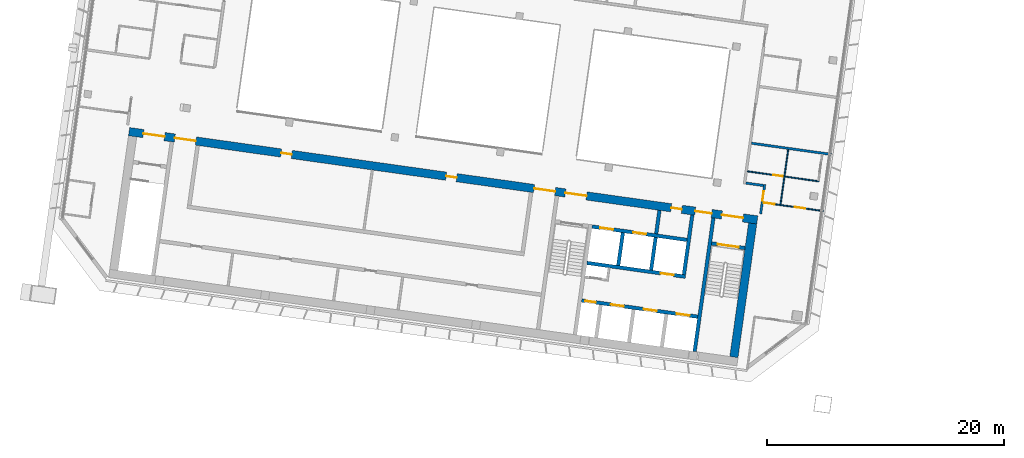
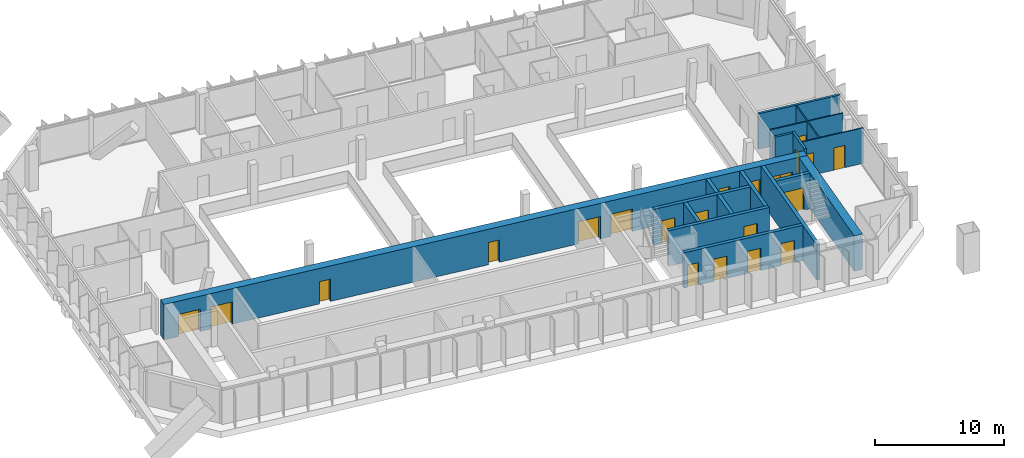
# One storey, part 18 of 32: 21 doors, 17 walls, 21 openings.
"""IFC4 building model written with IfcOpenShell, lengths in metres."""

from ifc_helpers import new_model, si_unit, direction, frame, frame_2d, origin, place, context, subcontext, project, spatial, rectangle, extrude, material, layer, layer_set, type_object, element, fill, save


model = new_model("IFC4")

# Units and contexts
model_context = context("Model", 3, precision=1e-05, world=origin(), true_north=direction((0.0, 1.0)))
body_context = subcontext(model_context, "Body", "Model", "MODEL_VIEW")
ifc_project = project(units=[si_unit("LENGTHUNIT", "METRE"), si_unit("AREAUNIT", "SQUARE_METRE"), si_unit("VOLUMEUNIT", "CUBIC_METRE"), si_unit("PLANEANGLEUNIT", "RADIAN"), si_unit("MASSUNIT", "GRAM", prefix="KILO")], contexts=[model_context])

# Site, building, storey
site_placement = place(None, origin())
site = spatial("IfcSite", under=ifc_project, at=site_placement, CompositionType="ELEMENT")
building_placement = place(site_placement, origin())
building = spatial("IfcBuilding", under=site, at=building_placement, Name="Mirante Cascada Hotel Towers", CompositionType="ELEMENT")
storey_placement = place(building_placement, frame((0.0, 0.0, 176.4)))
storey = spatial("IfcBuildingStorey", under=building, at=storey_placement, Name="L41", CompositionType="ELEMENT", Elevation=176.4)

# Walls
ifc_material_1 = material(Name="Fire-rated plasterboard on metal studs")
ifc_layer_1 = layer(ifc_material_1, 0.2)
ifc_layer_set_1 = layer_set([ifc_layer_1], Name="Compartment wall 200 EI 120")
wall_type_1 = type_object("IfcWallType", Name="Compartment wall 200 EI 120", PredefinedType="PARTITIONING", material=ifc_layer_set_1)
wall_1_placement = place(storey_placement, frame((-35.0284, -4.7267, 0.0), z_axis=(0.0, 0.0, 1.0), x_axis=(-0.9902735, 0.1391343, 0.0)))
element("IfcWall", 1, at=wall_1_placement, inside=storey, type_object=wall_type_1, Name="Wall 1-L41-06", PredefinedType="PARTITIONING", context=body_context, shape_type="SweptSolid", body=[
    extrude(rectangle(XDim=1.5, YDim=0.2, at=frame_2d((0.75, 0.0))), origin(), (0.0, 0.0, 1.0), 3.35),
])
wall_2_placement = place(storey_placement, frame((-29.2967, -2.0988, 0.0), z_axis=(0.0, 0.0, 1.0), x_axis=(-0.9902679, 0.1391741, 0.0)))
element("IfcWall", 2, at=wall_2_placement, inside=storey, type_object=wall_type_1, Name="Wall 1-L41-08", PredefinedType="PARTITIONING", context=body_context, shape_type="SweptSolid", body=[
    extrude(rectangle(XDim=6.8102, YDim=0.2, at=frame_2d((3.4051, 0.0))), origin(), (0.0, 0.0, 1.0), 3.35),
])

# Wall, opening, door
wall_3_placement = place(storey_placement, frame((-34.9155, -4.6416, 0.0), z_axis=(0.0, 0.0, 1.0), x_axis=(-0.1391586, -0.9902701, 0.0)))
wall_3 = element("IfcWall", 3, at=wall_3_placement, inside=storey, type_object=wall_type_1, Name="Wall 1-L41-33", PredefinedType="PARTITIONING", context=body_context, shape_type="SweptSolid", body=[
    extrude(rectangle(XDim=2.5, YDim=0.2, at=frame_2d((1.25, 0.0))), origin(), (0.0, 0.0, 1.0), 3.35),
])
opening_1_placement = place(wall_3_placement, frame((0.5833, 0.0, 0.0)))
opening_1 = element("IfcOpeningElement", 4, at=opening_1_placement, cuts=wall_3, Name="Opening D1-L41-25", PredefinedType="OPENING", context=body_context, shape_type="SweptSolid", body=[
    extrude(rectangle(XDim=0.8, YDim=2.1, at=frame_2d((0.4, 1.05))), frame((0.0, 0.1, 0.0), z_axis=(0.0, -1.0, 0.0), x_axis=(1.0, 0.0, 0.0)), (0.0, 0.0, 1.0), 0.2),
])
ifc_material_2 = material(Name="Fire-rated timber door leaf", Category="wood")
door_type_1 = type_object("IfcDoorType", Name="Bathroom door DG4 800x2100 EI 60", OperationType="SINGLE_SWING_LEFT", PredefinedType="DOOR", material=ifc_material_2)
door_1_placement = place(opening_1_placement, frame((0.8, 0.0, 0.0), z_axis=(0.0, 0.0, 1.0), x_axis=(-1.0, 0.0, 0.0)))
door_1 = element("IfcDoor", 5, at=door_1_placement, inside=storey, type_object=door_type_1, Name="Door D1-L41-25", OperationType="SINGLE_SWING_RIGHT", OverallHeight=2.1, OverallWidth=0.8, PredefinedType="DOOR", context=body_context, shape_type="SweptSolid", body=[
    extrude(rectangle(XDim=0.8, YDim=2.1, at=frame_2d((0.4, 1.05))), frame((0.0, 0.025, 0.0), z_axis=(0.0, -1.0, 0.0), x_axis=(1.0, 0.0, 0.0)), (0.0, 0.0, 1.0), 0.05),
])
fill(opening_1, door_1)

# Wall
ifc_material_3 = material(Name="Masonry block", Category="masonry")
ifc_layer_2 = layer(ifc_material_3, 0.3)
ifc_layer_set_2 = layer_set([ifc_layer_2], Name="Core wall 300 block EI 120")
wall_type_2 = type_object("IfcWallType", Name="Core wall 300 block EI 120", PredefinedType="PARTITIONING", material=ifc_layer_set_2)
wall_4_placement = place(storey_placement, frame((-44.0843, -8.8061, 0.0), z_axis=(0.0, 0.0, 1.0), x_axis=(0.1391951, 0.990265, 0.0)))
element("IfcWall", 6, at=wall_4_placement, inside=storey, type_object=wall_type_2, Name="Core wall partition T1 L41 1", PredefinedType="PARTITIONING", context=body_context, shape_type="SweptSolid", body=[
    extrude(rectangle(XDim=2.0001, YDim=0.3, at=frame_2d((1.0001, 0.0))), origin(), (0.0, 0.0, 1.0), 3.35),
])

# Wall, openings, doors
ifc_material_4 = material(Name="Plasterboard on metal studs")
ifc_layer_3 = layer(ifc_material_4, 0.1)
ifc_layer_set_3 = layer_set([ifc_layer_3], Name="Partition 100")
wall_type_3 = type_object("IfcWallType", Name="Partition 100", PredefinedType="PARTITIONING", material=ifc_layer_set_3)
wall_5_placement = place(storey_placement, frame((-29.9694, -6.8851, 0.0), z_axis=(0.0, 0.0, 1.0), x_axis=(-0.9902679, 0.1391745, 0.0)))
wall_5 = element("IfcWall", 7, at=wall_5_placement, inside=storey, type_object=wall_type_3, Name="Wall 1-L41-04", PredefinedType="PARTITIONING", context=body_context, shape_type="SweptSolid", body=[
    extrude(rectangle(XDim=5.1101, YDim=0.1, at=frame_2d((2.555, 0.0))), origin(), (0.0, 0.0, 1.0), 3.35),
])
opening_2_placement = place(wall_5_placement, frame((1.55, 0.0, 0.0)))
opening_2 = element("IfcOpeningElement", 8, at=opening_2_placement, cuts=wall_5, Name="Opening D1-L41-02", PredefinedType="OPENING", context=body_context, shape_type="SweptSolid", body=[
    extrude(rectangle(XDim=0.9, YDim=2.1, at=frame_2d((0.45, 1.05))), frame((0.0, 0.05, 0.0), z_axis=(0.0, -1.0, 0.0), x_axis=(1.0, 0.0, 0.0)), (0.0, 0.0, 1.0), 0.1),
])
opening_3_placement = place(wall_5_placement, frame((4.1602, 0.0, 0.0)))
opening_3 = element("IfcOpeningElement", 9, at=opening_3_placement, cuts=wall_5, Name="Opening D1-L41-03", PredefinedType="OPENING", context=body_context, shape_type="SweptSolid", body=[
    extrude(rectangle(XDim=0.9, YDim=2.1, at=frame_2d((0.45, 1.05))), frame((0.0, 0.05, 0.0), z_axis=(0.0, -1.0, 0.0), x_axis=(1.0, 0.0, 0.0)), (0.0, 0.0, 1.0), 0.1),
])
ifc_material_5 = material(Name="Timber door leaf", Category="wood")
door_type_2 = type_object("IfcDoorType", Name="Room door DG3 900x2100", OperationType="SINGLE_SWING_LEFT", PredefinedType="DOOR", material=ifc_material_5)
door_2_placement = place(opening_2_placement, origin())
door_2 = element("IfcDoor", 10, at=door_2_placement, inside=storey, type_object=door_type_2, Name="Door D1-L41-02", OperationType="SINGLE_SWING_LEFT", OverallHeight=2.1, OverallWidth=0.9, PredefinedType="DOOR", context=body_context, shape_type="SweptSolid", body=[
    extrude(rectangle(XDim=0.9, YDim=2.1, at=frame_2d((0.45, 1.05))), frame((0.0, 0.025, 0.0), z_axis=(0.0, -1.0, 0.0), x_axis=(1.0, 0.0, 0.0)), (0.0, 0.0, 1.0), 0.05),
])
fill(opening_2, door_2)
door_3_placement = place(opening_3_placement, origin())
door_3 = element("IfcDoor", 11, at=door_3_placement, inside=storey, type_object=door_type_2, Name="Door D1-L41-03", OperationType="SINGLE_SWING_LEFT", OverallHeight=2.1, OverallWidth=0.9, PredefinedType="DOOR", context=body_context, shape_type="SweptSolid", body=[
    extrude(rectangle(XDim=0.9, YDim=2.1, at=frame_2d((0.45, 1.05))), frame((0.0, 0.025, 0.0), z_axis=(0.0, -1.0, 0.0), x_axis=(1.0, 0.0, 0.0)), (0.0, 0.0, 1.0), 0.05),
])
fill(opening_3, door_3)

# Wall, opening, door
wall_6_placement = place(storey_placement, frame((-36.3747, -3.5277, 0.0), z_axis=(0.0, 0.0, 1.0), x_axis=(0.9902673, -0.1391783, 0.0)))
wall_6 = element("IfcWall", 12, at=wall_6_placement, inside=storey, type_object=wall_type_3, Name="Wall 1-L41-07", PredefinedType="PARTITIONING", context=body_context, shape_type="SweptSolid", body=[
    extrude(rectangle(XDim=6.1051, YDim=0.1, at=frame_2d((3.0526, 0.0))), origin(), (0.0, 0.0, 1.0), 3.35),
])
opening_4_placement = place(wall_6_placement, frame((2.2051, 0.0, 0.0)))
opening_4 = element("IfcOpeningElement", 13, at=opening_4_placement, cuts=wall_6, Name="Opening D1-L41-05", PredefinedType="OPENING", context=body_context, shape_type="SweptSolid", body=[
    extrude(rectangle(XDim=0.8, YDim=2.1, at=frame_2d((0.4, 1.05))), frame((0.0, 0.05, 0.0), z_axis=(0.0, -1.0, 0.0), x_axis=(1.0, 0.0, 0.0)), (0.0, 0.0, 1.0), 0.1),
])
ifc_material_6 = material(Name="Timber door leaf", Category="wood")
door_type_3 = type_object("IfcDoorType", Name="Bathroom door DG4 800x2100", OperationType="SINGLE_SWING_LEFT", PredefinedType="DOOR", material=ifc_material_6)
door_4_placement = place(opening_4_placement, origin())
door_4 = element("IfcDoor", 14, at=door_4_placement, inside=storey, type_object=door_type_3, Name="Door D1-L41-05", OperationType="SINGLE_SWING_LEFT", OverallHeight=2.1, OverallWidth=0.8, PredefinedType="DOOR", context=body_context, shape_type="SweptSolid", body=[
    extrude(rectangle(XDim=0.8, YDim=2.1, at=frame_2d((0.4, 1.05))), frame((0.0, 0.025, 0.0), z_axis=(0.0, -1.0, 0.0), x_axis=(1.0, 0.0, 0.0)), (0.0, 0.0, 1.0), 0.05),
])
fill(opening_4, door_4)

# Walls
wall_7_placement = place(storey_placement, frame((-33.5819, -6.3269, 0.0), z_axis=(0.0, 0.0, 1.0), x_axis=(0.139155, 0.9902706, 0.0)))
element("IfcWall", 15, at=wall_7_placement, inside=storey, type_object=wall_type_3, Name="Wall 1-L41-30", PredefinedType="PARTITIONING", context=body_context, shape_type="SweptSolid", body=[
    extrude(rectangle(XDim=4.6833, YDim=0.1, at=frame_2d((2.3416, 0.0))), origin(), (0.0, 0.0, 1.0), 3.35),
])
ifc_material_7 = material(Name="Concrete C50/60", Category="concrete")
ifc_layer_4 = layer(ifc_material_7, 0.3)
ifc_layer_set_4 = layer_set([ifc_layer_4], Name="RC core wall 300 C50/60")
wall_type_4 = type_object("IfcWallType", Name="RC core wall 300 C50/60", PredefinedType="SHEAR", material=ifc_layer_set_4)
wall_8_placement = place(storey_placement, frame((-40.8373, -18.7548, 0.0), z_axis=(0.0, 0.0, 1.0), x_axis=(0.1391749, 0.9902678, 0.0)))
element("IfcWall", 16, at=wall_8_placement, inside=storey, type_object=wall_type_4, Name="Core wall T1:L41:5", PredefinedType="SHEAR", context=body_context, shape_type="SweptSolid", body=[
    extrude(rectangle(XDim=11.4, YDim=0.3, at=frame_2d((5.7, 0.0))), origin(), (0.0, 0.0, 1.0), 3.35),
])

# Wall, opening, door
wall_9_placement = place(storey_placement, frame((-36.5791, -10.0123, 0.0), z_axis=(0.0, 0.0, 1.0), x_axis=(-0.9902704, 0.1391564, 0.0)))
wall_9 = element("IfcWall", 17, at=wall_9_placement, inside=storey, type_object=wall_type_4, Name="Core wall T1:L41:9", PredefinedType="SHEAR", context=body_context, shape_type="SweptSolid", body=[
    extrude(rectangle(XDim=2.85, YDim=0.3, at=frame_2d((1.425, 0.0))), origin(), (0.0, 0.0, 1.0), 3.35),
])
opening_5_placement = place(wall_9_placement, frame((0.525, 0.0, 0.0)))
opening_5 = element("IfcOpeningElement", 18, at=opening_5_placement, cuts=wall_9, Name="Opening D1-41-C07", PredefinedType="OPENING", context=body_context, shape_type="SweptSolid", body=[
    extrude(rectangle(XDim=1.8, YDim=2.1, at=frame_2d((0.9, 1.05))), frame((0.0, 0.15, 0.0), z_axis=(0.0, -1.0, 0.0), x_axis=(1.0, 0.0, 0.0)), (0.0, 0.0, 1.0), 0.3),
])
ifc_material_8 = material(Name="Hollow metal fire door leaf")
door_type_4 = type_object("IfcDoorType", Name="Double fire door 1800x2100 FD60", OperationType="DOUBLE_DOOR_SINGLE_SWING", PredefinedType="DOOR", material=ifc_material_8)
door_5_placement = place(opening_5_placement, origin())
door_5 = element("IfcDoor", 19, at=door_5_placement, inside=storey, type_object=door_type_4, Name="Stair door T1 L41 7", OperationType="DOUBLE_DOOR_SINGLE_SWING", OverallHeight=2.1, OverallWidth=1.8, PredefinedType="DOOR", context=body_context, shape_type="SweptSolid", body=[
    extrude(rectangle(XDim=0.895, YDim=2.1, at=frame_2d((0.4475, 1.05))), frame((0.0, 0.025, 0.0), z_axis=(0.0, -1.0, 0.0), x_axis=(1.0, 0.0, 0.0)), (0.0, 0.0, 1.0), 0.05),
    extrude(rectangle(XDim=0.895, YDim=2.1, at=frame_2d((1.3525, 1.05))), frame((0.0, 0.025, 0.0), z_axis=(0.0, -1.0, 0.0), x_axis=(1.0, 0.0, 0.0)), (0.0, 0.0, 1.0), 0.05),
])
fill(opening_5, door_5)

# Wall, openings, doors
wall_10_placement = place(storey_placement, frame((-40.5753, -15.8126, 0.0), z_axis=(0.0, 0.0, 1.0), x_axis=(-0.9902682, 0.1391725, 0.0)))
wall_10 = element("IfcWall", 20, at=wall_10_placement, inside=storey, type_object=wall_type_4, Name="Core wall T1:L41:12", PredefinedType="SHEAR", context=body_context, shape_type="SweptSolid", body=[
    extrude(rectangle(XDim=9.8999, YDim=0.3, at=frame_2d((4.95, 0.0))), origin(), (0.0, 0.0, 1.0), 3.35),
])
opening_6_placement = place(wall_10_placement, frame((0.7, 0.0, 0.0)))
opening_6 = element("IfcOpeningElement", 21, at=opening_6_placement, cuts=wall_10, Name="Opening LD", PredefinedType="OPENING", context=body_context, shape_type="SweptSolid", body=[
    extrude(rectangle(XDim=1.1, YDim=2.1, at=frame_2d((0.55, 1.05))), frame((0.0, 0.15, 0.0), z_axis=(0.0, -1.0, 0.0), x_axis=(1.0, 0.0, 0.0)), (0.0, 0.0, 1.0), 0.3),
])
opening_7_placement = place(wall_10_placement, frame((3.5, 0.0, 0.0)))
opening_7 = element("IfcOpeningElement", 22, at=opening_7_placement, cuts=wall_10, Name="Opening LD", PredefinedType="OPENING", context=body_context, shape_type="SweptSolid", body=[
    extrude(rectangle(XDim=1.1, YDim=2.1, at=frame_2d((0.55, 1.05))), frame((0.0, 0.15, 0.0), z_axis=(0.0, -1.0, 0.0), x_axis=(1.0, 0.0, 0.0)), (0.0, 0.0, 1.0), 0.3),
])
opening_8_placement = place(wall_10_placement, frame((6.3, 0.0, 0.0)))
opening_8 = element("IfcOpeningElement", 23, at=opening_8_placement, cuts=wall_10, Name="Opening LD", PredefinedType="OPENING", context=body_context, shape_type="SweptSolid", body=[
    extrude(rectangle(XDim=1.1, YDim=2.1, at=frame_2d((0.55, 1.05))), frame((0.0, 0.15, 0.0), z_axis=(0.0, -1.0, 0.0), x_axis=(1.0, 0.0, 0.0)), (0.0, 0.0, 1.0), 0.3),
])
opening_9_placement = place(wall_10_placement, frame((8.7, 0.0, 0.0)))
opening_9 = element("IfcOpeningElement", 24, at=opening_9_placement, cuts=wall_10, Name="Opening D1-41-C16", PredefinedType="OPENING", context=body_context, shape_type="SweptSolid", body=[
    extrude(rectangle(XDim=0.9, YDim=2.1, at=frame_2d((0.45, 1.05))), frame((0.0, 0.15, 0.0), z_axis=(0.0, -1.0, 0.0), x_axis=(1.0, 0.0, 0.0)), (0.0, 0.0, 1.0), 0.3),
])
ifc_material_9 = material(Name="Hollow metal fire door leaf")
door_type_5 = type_object("IfcDoorType", Name="Fire door 900x2100 FD60", OperationType="NOTDEFINED", PredefinedType="DOOR", material=ifc_material_9)
door_6_placement = place(opening_9_placement, origin())
door_6 = element("IfcDoor", 25, at=door_6_placement, inside=storey, type_object=door_type_5, Name="Riser door T1 L41 16", OperationType="SINGLE_SWING_LEFT", OverallHeight=2.1, OverallWidth=0.9, PredefinedType="DOOR", context=body_context, shape_type="SweptSolid", body=[
    extrude(rectangle(XDim=0.9, YDim=2.1, at=frame_2d((0.45, 1.05))), frame((0.0, 0.025, 0.0), z_axis=(0.0, -1.0, 0.0), x_axis=(1.0, 0.0, 0.0)), (0.0, 0.0, 1.0), 0.05),
])
fill(opening_9, door_6)
ifc_material_10 = material(Name="Stainless steel", Category="steel")
door_type_6 = type_object("IfcDoorType", Name="Lift landing door 1100x2100 EI 120", OperationType="DOUBLE_DOOR_SLIDING", PredefinedType="DOOR", material=ifc_material_10)
door_7_placement = place(opening_6_placement, origin())
door_7 = element("IfcDoor", 26, at=door_7_placement, inside=storey, type_object=door_type_6, Name="Lift landing door HR1-1 L41", OperationType="DOUBLE_DOOR_SLIDING", OverallHeight=2.1, OverallWidth=1.1, PredefinedType="DOOR", context=body_context, shape_type="SweptSolid", body=[
    extrude(rectangle(XDim=0.545, YDim=2.1, at=frame_2d((0.2725, 1.05))), frame((0.0, 0.025, 0.0), z_axis=(0.0, -1.0, 0.0), x_axis=(1.0, 0.0, 0.0)), (0.0, 0.0, 1.0), 0.05),
    extrude(rectangle(XDim=0.545, YDim=2.1, at=frame_2d((0.8275, 1.05))), frame((0.0, 0.025, 0.0), z_axis=(0.0, -1.0, 0.0), x_axis=(1.0, 0.0, 0.0)), (0.0, 0.0, 1.0), 0.05),
])
fill(opening_6, door_7)
door_8_placement = place(opening_7_placement, origin())
door_8 = element("IfcDoor", 27, at=door_8_placement, inside=storey, type_object=door_type_6, Name="Lift landing door HR1-2 L41", OperationType="DOUBLE_DOOR_SLIDING", OverallHeight=2.1, OverallWidth=1.1, PredefinedType="DOOR", context=body_context, shape_type="SweptSolid", body=[
    extrude(rectangle(XDim=0.545, YDim=2.1, at=frame_2d((0.2725, 1.05))), frame((0.0, 0.025, 0.0), z_axis=(0.0, -1.0, 0.0), x_axis=(1.0, 0.0, 0.0)), (0.0, 0.0, 1.0), 0.05),
    extrude(rectangle(XDim=0.545, YDim=2.1, at=frame_2d((0.8275, 1.05))), frame((0.0, 0.025, 0.0), z_axis=(0.0, -1.0, 0.0), x_axis=(1.0, 0.0, 0.0)), (0.0, 0.0, 1.0), 0.05),
])
fill(opening_7, door_8)
door_9_placement = place(opening_8_placement, origin())
door_9 = element("IfcDoor", 28, at=door_9_placement, inside=storey, type_object=door_type_6, Name="Lift landing door HR1-3 L41", OperationType="DOUBLE_DOOR_SLIDING", OverallHeight=2.1, OverallWidth=1.1, PredefinedType="DOOR", context=body_context, shape_type="SweptSolid", body=[
    extrude(rectangle(XDim=0.545, YDim=2.1, at=frame_2d((0.2725, 1.05))), frame((0.0, 0.025, 0.0), z_axis=(0.0, -1.0, 0.0), x_axis=(1.0, 0.0, 0.0)), (0.0, 0.0, 1.0), 0.05),
    extrude(rectangle(XDim=0.545, YDim=2.1, at=frame_2d((0.8275, 1.05))), frame((0.0, 0.025, 0.0), z_axis=(0.0, -1.0, 0.0), x_axis=(1.0, 0.0, 0.0)), (0.0, 0.0, 1.0), 0.05),
])
fill(opening_8, door_9)

# Wall, opening, door
wall_11_placement = place(storey_placement, frame((-41.6153, -12.435, 0.0), z_axis=(0.0, 0.0, 1.0), x_axis=(-0.9902691, 0.139166, 0.0)))
wall_11 = element("IfcWall", 29, at=wall_11_placement, inside=storey, type_object=wall_type_4, Name="Core wall T1:L41:13", PredefinedType="SHEAR", context=body_context, shape_type="SweptSolid", body=[
    extrude(rectangle(XDim=8.4, YDim=0.3, at=frame_2d((4.2, 0.0))), origin(), (0.0, 0.0, 1.0), 3.35),
])
opening_10_placement = place(wall_11_placement, frame((1.0, 0.0, 0.0)))
opening_10 = element("IfcOpeningElement", 30, at=opening_10_placement, cuts=wall_11, Name="Opening LD", PredefinedType="OPENING", context=body_context, shape_type="SweptSolid", body=[
    extrude(rectangle(XDim=1.1, YDim=2.1, at=frame_2d((0.55, 1.05))), frame((0.0, 0.15, 0.0), z_axis=(0.0, -1.0, 0.0), x_axis=(1.0, 0.0, 0.0)), (0.0, 0.0, 1.0), 0.3),
])
door_10_placement = place(opening_10_placement, origin())
door_10 = element("IfcDoor", 31, at=door_10_placement, inside=storey, type_object=door_type_6, Name="Lift landing door HR1-4 L41", OperationType="DOUBLE_DOOR_SLIDING", OverallHeight=2.1, OverallWidth=1.1, PredefinedType="DOOR", context=body_context, shape_type="SweptSolid", body=[
    extrude(rectangle(XDim=0.545, YDim=2.1, at=frame_2d((0.2725, 1.05))), frame((0.0, 0.025, 0.0), z_axis=(0.0, -1.0, 0.0), x_axis=(1.0, 0.0, 0.0)), (0.0, 0.0, 1.0), 0.05),
    extrude(rectangle(XDim=0.545, YDim=2.1, at=frame_2d((0.8275, 1.05))), frame((0.0, 0.025, 0.0), z_axis=(0.0, -1.0, 0.0), x_axis=(1.0, 0.0, 0.0)), (0.0, 0.0, 1.0), 0.05),
])
fill(opening_10, door_10)

# Wall, openings, doors
wall_12_placement = place(storey_placement, frame((-41.481, -9.3234, 0.0), z_axis=(0.0, 0.0, 1.0), x_axis=(-0.9902679, 0.1391741, 0.0)))
wall_12 = element("IfcWall", 32, at=wall_12_placement, inside=storey, type_object=wall_type_4, Name="Core wall T1:L41:14", PredefinedType="SHEAR", context=body_context, shape_type="SweptSolid", body=[
    extrude(rectangle(XDim=8.0999, YDim=0.3, at=frame_2d((4.05, 0.0))), origin(), (0.0, 0.0, 1.0), 3.35),
])
opening_11_placement = place(wall_12_placement, frame((3.5, 0.0, 0.0)))
opening_11 = element("IfcOpeningElement", 33, at=opening_11_placement, cuts=wall_12, Name="Opening LD", PredefinedType="OPENING", context=body_context, shape_type="SweptSolid", body=[
    extrude(rectangle(XDim=1.1, YDim=2.1, at=frame_2d((0.55, 1.05))), frame((0.0, 0.15, 0.0), z_axis=(0.0, -1.0, 0.0), x_axis=(1.0, 0.0, 0.0)), (0.0, 0.0, 1.0), 0.3),
])
opening_12_placement = place(wall_12_placement, frame((6.3, 0.0, 0.0)))
opening_12 = element("IfcOpeningElement", 34, at=opening_12_placement, cuts=wall_12, Name="Opening LD", PredefinedType="OPENING", context=body_context, shape_type="SweptSolid", body=[
    extrude(rectangle(XDim=1.1, YDim=2.1, at=frame_2d((0.55, 1.05))), frame((0.0, 0.15, 0.0), z_axis=(0.0, -1.0, 0.0), x_axis=(1.0, 0.0, 0.0)), (0.0, 0.0, 1.0), 0.3),
])
door_11_placement = place(opening_11_placement, origin())
door_11 = element("IfcDoor", 35, at=door_11_placement, inside=storey, type_object=door_type_6, Name="Lift landing door FF1 L41", OperationType="DOUBLE_DOOR_SLIDING", OverallHeight=2.1, OverallWidth=1.1, PredefinedType="DOOR", context=body_context, shape_type="SweptSolid", body=[
    extrude(rectangle(XDim=0.545, YDim=2.1, at=frame_2d((0.2725, 1.05))), frame((0.0, 0.025, 0.0), z_axis=(0.0, -1.0, 0.0), x_axis=(1.0, 0.0, 0.0)), (0.0, 0.0, 1.0), 0.05),
    extrude(rectangle(XDim=0.545, YDim=2.1, at=frame_2d((0.8275, 1.05))), frame((0.0, 0.025, 0.0), z_axis=(0.0, -1.0, 0.0), x_axis=(1.0, 0.0, 0.0)), (0.0, 0.0, 1.0), 0.05),
])
fill(opening_11, door_11)
door_12_placement = place(opening_12_placement, origin())
door_12 = element("IfcDoor", 36, at=door_12_placement, inside=storey, type_object=door_type_6, Name="Lift landing door FF2 L41", OperationType="DOUBLE_DOOR_SLIDING", OverallHeight=2.1, OverallWidth=1.1, PredefinedType="DOOR", context=body_context, shape_type="SweptSolid", body=[
    extrude(rectangle(XDim=0.545, YDim=2.1, at=frame_2d((0.2725, 1.05))), frame((0.0, 0.025, 0.0), z_axis=(0.0, -1.0, 0.0), x_axis=(1.0, 0.0, 0.0)), (0.0, 0.0, 1.0), 0.05),
    extrude(rectangle(XDim=0.545, YDim=2.1, at=frame_2d((0.8275, 1.05))), frame((0.0, 0.025, 0.0), z_axis=(0.0, -1.0, 0.0), x_axis=(1.0, 0.0, 0.0)), (0.0, 0.0, 1.0), 0.05),
])
fill(opening_12, door_12)

# Walls
for number, where, z_axis, x_axis, name in (
    (37, (-44.5157, -11.8759, 0.0), (0.0, 0.0, 1.0), (0.139181, 0.990267, 0.0), "Core wall T1:L41:18"),
    (38, (-47.2885, -11.4862, 0.0), (0.0, 0.0, 1.0), (0.139181, 0.990267, 0.0), "Core wall T1:L41:19"),
):
    element("IfcWall", number, at=place(storey_placement, frame(where, z_axis=z_axis, x_axis=x_axis)), inside=storey, type_object=wall_type_4, Name=name, PredefinedType="SHEAR", context=body_context, shape_type="SweptSolid", body=[
        extrude(rectangle(XDim=2.8, YDim=0.3, at=frame_2d((1.4, 0.0))), origin(), (0.0, 0.0, 1.0), 3.35),
    ])
wall_13_placement = place(storey_placement, frame((-41.743, -12.2656, 0.0), z_axis=(0.0, 0.0, 1.0), x_axis=(0.1391755, 0.9902677, 0.0)))
element("IfcWall", 39, at=wall_13_placement, inside=storey, type_object=wall_type_4, Name="Core wall T1:L41:20", PredefinedType="SHEAR", context=body_context, shape_type="SweptSolid", body=[
    extrude(rectangle(XDim=5.1, YDim=0.3, at=frame_2d((2.55, 0.0))), origin(), (0.0, 0.0, 1.0), 3.35),
])

# Wall, openings, doors
ifc_material_11 = material(Name="Concrete C50/60", Category="concrete")
ifc_layer_5 = layer(ifc_material_11, 0.7)
ifc_layer_set_5 = layer_set([ifc_layer_5], Name="RC core wall 700 C50/60")
wall_type_5 = type_object("IfcWallType", Name="RC core wall 700 C50/60", PredefinedType="SHEAR", material=ifc_layer_set_5)
wall_14_placement = place(storey_placement, frame((-35.538, -7.6341, 0.0), z_axis=(0.0, 0.0, 1.0), x_axis=(-0.990268, 0.1391734, 0.0)))
wall_14 = element("IfcWall", 40, at=wall_14_placement, inside=storey, type_object=wall_type_5, Name="Core wall T1:L41:2", PredefinedType="SHEAR", context=body_context, shape_type="SweptSolid", body=[
    extrude(rectangle(XDim=53.6, YDim=0.7, at=frame_2d((26.8, 0.0))), origin(), (0.0, 0.0, 1.0), 3.35),
])
opening_13_placement = place(wall_14_placement, frame((1.225, 0.0, 0.0)))
opening_13 = element("IfcOpeningElement", 41, at=opening_13_placement, cuts=wall_14, Name="Opening D1-41-C08", PredefinedType="OPENING", context=body_context, shape_type="SweptSolid", body=[
    extrude(rectangle(XDim=1.8, YDim=2.1, at=frame_2d((0.9, 1.05))), frame((0.0, 0.35, 0.0), z_axis=(0.0, -1.0, 0.0), x_axis=(1.0, 0.0, 0.0)), (0.0, 0.0, 1.0), 0.7),
])
opening_14_placement = place(wall_14_placement, frame((14.575, 0.0, 0.0)))
opening_14 = element("IfcOpeningElement", 42, at=opening_14_placement, cuts=wall_14, Name="Opening D1-41-C10", PredefinedType="OPENING", context=body_context, shape_type="SweptSolid", body=[
    extrude(rectangle(XDim=1.8, YDim=2.1, at=frame_2d((0.9, 1.05))), frame((0.0, 0.35, 0.0), z_axis=(0.0, -1.0, 0.0), x_axis=(1.0, 0.0, 0.0)), (0.0, 0.0, 1.0), 0.7),
])
opening_15_placement = place(wall_14_placement, frame((50.575, 0.0, 0.0)))
opening_15 = element("IfcOpeningElement", 43, at=opening_15_placement, cuts=wall_14, Name="Opening D1-41-C12", PredefinedType="OPENING", context=body_context, shape_type="SweptSolid", body=[
    extrude(rectangle(XDim=1.8, YDim=2.1, at=frame_2d((0.9, 1.05))), frame((0.0, 0.35, 0.0), z_axis=(0.0, -1.0, 0.0), x_axis=(1.0, 0.0, 0.0)), (0.0, 0.0, 1.0), 0.7),
])
opening_16_placement = place(wall_14_placement, frame((3.9, 0.0, 0.0)))
opening_16 = element("IfcOpeningElement", 44, at=opening_16_placement, cuts=wall_14, Name="Opening D1-41-C13", PredefinedType="OPENING", context=body_context, shape_type="SweptSolid", body=[
    extrude(rectangle(XDim=1.4, YDim=2.1, at=frame_2d((0.7, 1.05))), frame((0.0, 0.35, 0.0), z_axis=(0.0, -1.0, 0.0), x_axis=(1.0, 0.0, 0.0)), (0.0, 0.0, 1.0), 0.7),
])
opening_17_placement = place(wall_14_placement, frame((17.25, 0.0, 0.0)))
opening_17 = element("IfcOpeningElement", 45, at=opening_17_placement, cuts=wall_14, Name="Opening D1-41-C14", PredefinedType="OPENING", context=body_context, shape_type="SweptSolid", body=[
    extrude(rectangle(XDim=1.8, YDim=2.1, at=frame_2d((0.9, 1.05))), frame((0.0, 0.35, 0.0), z_axis=(0.0, -1.0, 0.0), x_axis=(1.0, 0.0, 0.0)), (0.0, 0.0, 1.0), 0.7),
])
opening_18_placement = place(wall_14_placement, frame((47.9, 0.0, 0.0)))
opening_18 = element("IfcOpeningElement", 46, at=opening_18_placement, cuts=wall_14, Name="Opening D1-41-C15", PredefinedType="OPENING", context=body_context, shape_type="SweptSolid", body=[
    extrude(rectangle(XDim=1.8, YDim=2.1, at=frame_2d((0.9, 1.05))), frame((0.0, 0.35, 0.0), z_axis=(0.0, -1.0, 0.0), x_axis=(1.0, 0.0, 0.0)), (0.0, 0.0, 1.0), 0.7),
])
opening_19_placement = place(wall_14_placement, frame((6.45, 0.0, 0.0)))
opening_19 = element("IfcOpeningElement", 47, at=opening_19_placement, cuts=wall_14, Name="Opening D1-41-C18", PredefinedType="OPENING", context=body_context, shape_type="SweptSolid", body=[
    extrude(rectangle(XDim=0.9, YDim=2.1, at=frame_2d((0.45, 1.05))), frame((0.0, 0.35, 0.0), z_axis=(0.0, -1.0, 0.0), x_axis=(1.0, 0.0, 0.0)), (0.0, 0.0, 1.0), 0.7),
])
opening_20_placement = place(wall_14_placement, frame((25.65, 0.0, 0.0)))
opening_20 = element("IfcOpeningElement", 48, at=opening_20_placement, cuts=wall_14, Name="Opening D1-41-C23", PredefinedType="OPENING", context=body_context, shape_type="SweptSolid", body=[
    extrude(rectangle(XDim=0.9, YDim=2.1, at=frame_2d((0.45, 1.05))), frame((0.0, 0.35, 0.0), z_axis=(0.0, -1.0, 0.0), x_axis=(1.0, 0.0, 0.0)), (0.0, 0.0, 1.0), 0.7),
])
opening_21_placement = place(wall_14_placement, frame((39.725, 0.0, 0.0)))
opening_21 = element("IfcOpeningElement", 49, at=opening_21_placement, cuts=wall_14, Name="Opening D1-41-C24", PredefinedType="OPENING", context=body_context, shape_type="SweptSolid", body=[
    extrude(rectangle(XDim=0.9, YDim=2.1, at=frame_2d((0.45, 1.05))), frame((0.0, 0.35, 0.0), z_axis=(0.0, -1.0, 0.0), x_axis=(1.0, 0.0, 0.0)), (0.0, 0.0, 1.0), 0.7),
])
ifc_material_12 = material(Name="Hollow metal fire door leaf")
door_type_7 = type_object("IfcDoorType", Name="Double fire door 1400x2100 FD60", OperationType="DOUBLE_DOOR_SINGLE_SWING", PredefinedType="DOOR", material=ifc_material_12)
door_13_placement = place(opening_16_placement, frame((1.4, 0.0, 0.0), z_axis=(0.0, 0.0, 1.0), x_axis=(-1.0, 0.0, 0.0)))
door_13 = element("IfcDoor", 50, at=door_13_placement, inside=storey, type_object=door_type_7, Name="Exit door to gallery T1 L41 13", OperationType="DOUBLE_DOOR_SINGLE_SWING", OverallHeight=2.1, OverallWidth=1.4, PredefinedType="DOOR", context=body_context, shape_type="SweptSolid", body=[
    extrude(rectangle(XDim=0.695, YDim=2.1, at=frame_2d((0.3475, 1.05))), frame((0.0, 0.025, 0.0), z_axis=(0.0, -1.0, 0.0), x_axis=(1.0, 0.0, 0.0)), (0.0, 0.0, 1.0), 0.05),
    extrude(rectangle(XDim=0.695, YDim=2.1, at=frame_2d((1.0525, 1.05))), frame((0.0, 0.025, 0.0), z_axis=(0.0, -1.0, 0.0), x_axis=(1.0, 0.0, 0.0)), (0.0, 0.0, 1.0), 0.05),
])
fill(opening_16, door_13)
door_14_placement = place(opening_13_placement, origin())
door_14 = element("IfcDoor", 51, at=door_14_placement, inside=storey, type_object=door_type_4, Name="Exit door to gallery T1 L41 8", OperationType="DOUBLE_DOOR_SINGLE_SWING", OverallHeight=2.1, OverallWidth=1.8, PredefinedType="DOOR", context=body_context, shape_type="SweptSolid", body=[
    extrude(rectangle(XDim=0.895, YDim=2.1, at=frame_2d((0.4475, 1.05))), frame((0.0, 0.025, 0.0), z_axis=(0.0, -1.0, 0.0), x_axis=(1.0, 0.0, 0.0)), (0.0, 0.0, 1.0), 0.05),
    extrude(rectangle(XDim=0.895, YDim=2.1, at=frame_2d((1.3525, 1.05))), frame((0.0, 0.025, 0.0), z_axis=(0.0, -1.0, 0.0), x_axis=(1.0, 0.0, 0.0)), (0.0, 0.0, 1.0), 0.05),
])
fill(opening_13, door_14)
door_15_placement = place(opening_14_placement, origin())
door_15 = element("IfcDoor", 52, at=door_15_placement, inside=storey, type_object=door_type_4, Name="Exit door to gallery T1 L41 10", OperationType="DOUBLE_DOOR_SINGLE_SWING", OverallHeight=2.1, OverallWidth=1.8, PredefinedType="DOOR", context=body_context, shape_type="SweptSolid", body=[
    extrude(rectangle(XDim=0.895, YDim=2.1, at=frame_2d((0.4475, 1.05))), frame((0.0, 0.025, 0.0), z_axis=(0.0, -1.0, 0.0), x_axis=(1.0, 0.0, 0.0)), (0.0, 0.0, 1.0), 0.05),
    extrude(rectangle(XDim=0.895, YDim=2.1, at=frame_2d((1.3525, 1.05))), frame((0.0, 0.025, 0.0), z_axis=(0.0, -1.0, 0.0), x_axis=(1.0, 0.0, 0.0)), (0.0, 0.0, 1.0), 0.05),
])
fill(opening_14, door_15)
door_16_placement = place(opening_15_placement, origin())
door_16 = element("IfcDoor", 53, at=door_16_placement, inside=storey, type_object=door_type_4, Name="Exit door to gallery T1 L41 12", OperationType="DOUBLE_DOOR_SINGLE_SWING", OverallHeight=2.1, OverallWidth=1.8, PredefinedType="DOOR", context=body_context, shape_type="SweptSolid", body=[
    extrude(rectangle(XDim=0.895, YDim=2.1, at=frame_2d((0.4475, 1.05))), frame((0.0, 0.025, 0.0), z_axis=(0.0, -1.0, 0.0), x_axis=(1.0, 0.0, 0.0)), (0.0, 0.0, 1.0), 0.05),
    extrude(rectangle(XDim=0.895, YDim=2.1, at=frame_2d((1.3525, 1.05))), frame((0.0, 0.025, 0.0), z_axis=(0.0, -1.0, 0.0), x_axis=(1.0, 0.0, 0.0)), (0.0, 0.0, 1.0), 0.05),
])
fill(opening_15, door_16)
door_17_placement = place(opening_17_placement, frame((1.8, 0.0, 0.0), z_axis=(0.0, 0.0, 1.0), x_axis=(-1.0, 0.0, 0.0)))
door_17 = element("IfcDoor", 54, at=door_17_placement, inside=storey, type_object=door_type_4, Name="Exit door to gallery T1 L41 14", OperationType="DOUBLE_DOOR_SINGLE_SWING", OverallHeight=2.1, OverallWidth=1.8, PredefinedType="DOOR", context=body_context, shape_type="SweptSolid", body=[
    extrude(rectangle(XDim=0.895, YDim=2.1, at=frame_2d((0.4475, 1.05))), frame((0.0, 0.025, 0.0), z_axis=(0.0, -1.0, 0.0), x_axis=(1.0, 0.0, 0.0)), (0.0, 0.0, 1.0), 0.05),
    extrude(rectangle(XDim=0.895, YDim=2.1, at=frame_2d((1.3525, 1.05))), frame((0.0, 0.025, 0.0), z_axis=(0.0, -1.0, 0.0), x_axis=(1.0, 0.0, 0.0)), (0.0, 0.0, 1.0), 0.05),
])
fill(opening_17, door_17)
door_18_placement = place(opening_18_placement, frame((1.8, 0.0, 0.0), z_axis=(0.0, 0.0, 1.0), x_axis=(-1.0, 0.0, 0.0)))
door_18 = element("IfcDoor", 55, at=door_18_placement, inside=storey, type_object=door_type_4, Name="Exit door to gallery T1 L41 15", OperationType="DOUBLE_DOOR_SINGLE_SWING", OverallHeight=2.1, OverallWidth=1.8, PredefinedType="DOOR", context=body_context, shape_type="SweptSolid", body=[
    extrude(rectangle(XDim=0.895, YDim=2.1, at=frame_2d((0.4475, 1.05))), frame((0.0, 0.025, 0.0), z_axis=(0.0, -1.0, 0.0), x_axis=(1.0, 0.0, 0.0)), (0.0, 0.0, 1.0), 0.05),
    extrude(rectangle(XDim=0.895, YDim=2.1, at=frame_2d((1.3525, 1.05))), frame((0.0, 0.025, 0.0), z_axis=(0.0, -1.0, 0.0), x_axis=(1.0, 0.0, 0.0)), (0.0, 0.0, 1.0), 0.05),
])
fill(opening_18, door_18)
door_19_placement = place(opening_19_placement, origin())
door_19 = element("IfcDoor", 56, at=door_19_placement, inside=storey, type_object=door_type_5, Name="Room door T1 L41 18", OperationType="SINGLE_SWING_RIGHT", OverallHeight=2.1, OverallWidth=0.9, PredefinedType="DOOR", context=body_context, shape_type="SweptSolid", body=[
    extrude(rectangle(XDim=0.9, YDim=2.1, at=frame_2d((0.45, 1.05))), frame((0.0, 0.025, 0.0), z_axis=(0.0, -1.0, 0.0), x_axis=(1.0, 0.0, 0.0)), (0.0, 0.0, 1.0), 0.05),
])
fill(opening_19, door_19)
door_20_placement = place(opening_20_placement, origin())
door_20 = element("IfcDoor", 57, at=door_20_placement, inside=storey, type_object=door_type_5, Name="Room door T1 L41 23", OperationType="SINGLE_SWING_LEFT", OverallHeight=2.1, OverallWidth=0.9, PredefinedType="DOOR", context=body_context, shape_type="SweptSolid", body=[
    extrude(rectangle(XDim=0.9, YDim=2.1, at=frame_2d((0.45, 1.05))), frame((0.0, 0.025, 0.0), z_axis=(0.0, -1.0, 0.0), x_axis=(1.0, 0.0, 0.0)), (0.0, 0.0, 1.0), 0.05),
])
fill(opening_20, door_20)
door_21_placement = place(opening_21_placement, origin())
door_21 = element("IfcDoor", 58, at=door_21_placement, inside=storey, type_object=door_type_5, Name="Room door T1 L41 24", OperationType="SINGLE_SWING_LEFT", OverallHeight=2.1, OverallWidth=0.9, PredefinedType="DOOR", context=body_context, shape_type="SweptSolid", body=[
    extrude(rectangle(XDim=0.9, YDim=2.1, at=frame_2d((0.45, 1.05))), frame((0.0, 0.025, 0.0), z_axis=(0.0, -1.0, 0.0), x_axis=(1.0, 0.0, 0.0)), (0.0, 0.0, 1.0), 0.05),
])
fill(opening_21, door_21)

# Wall
wall_15_placement = place(storey_placement, frame((-37.5199, -19.221, 0.0), z_axis=(0.0, 0.0, 1.0), x_axis=(0.1391761, 0.9902677, 0.0)))
element("IfcWall", 59, at=wall_15_placement, inside=storey, type_object=wall_type_5, Name="Core wall T1:L41:3", PredefinedType="SHEAR", context=body_context, shape_type="SweptSolid", body=[
    extrude(rectangle(XDim=11.3999, YDim=0.7, at=frame_2d((5.7, 0.0))), origin(), (0.0, 0.0, 1.0), 3.35),
])

save(model, "model.ifc")
